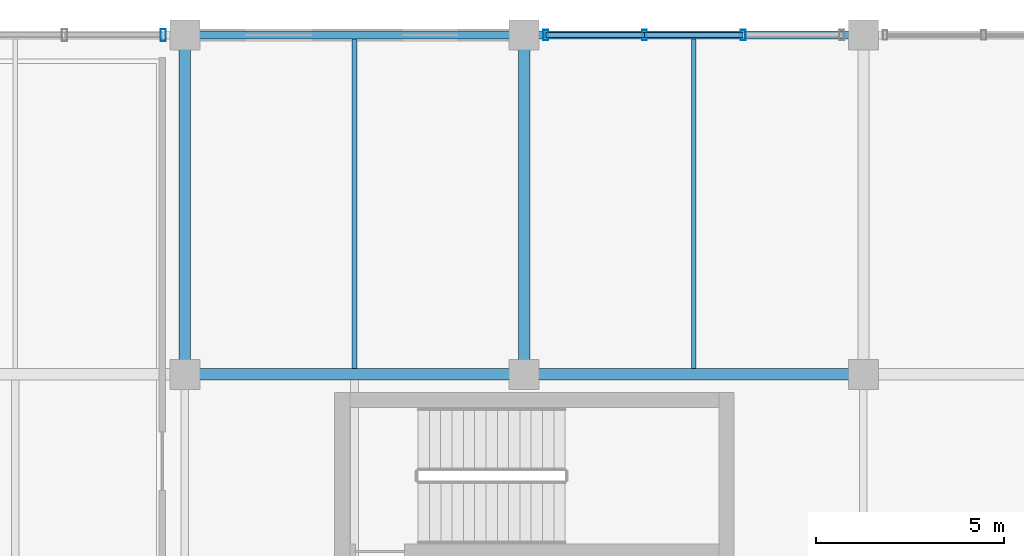
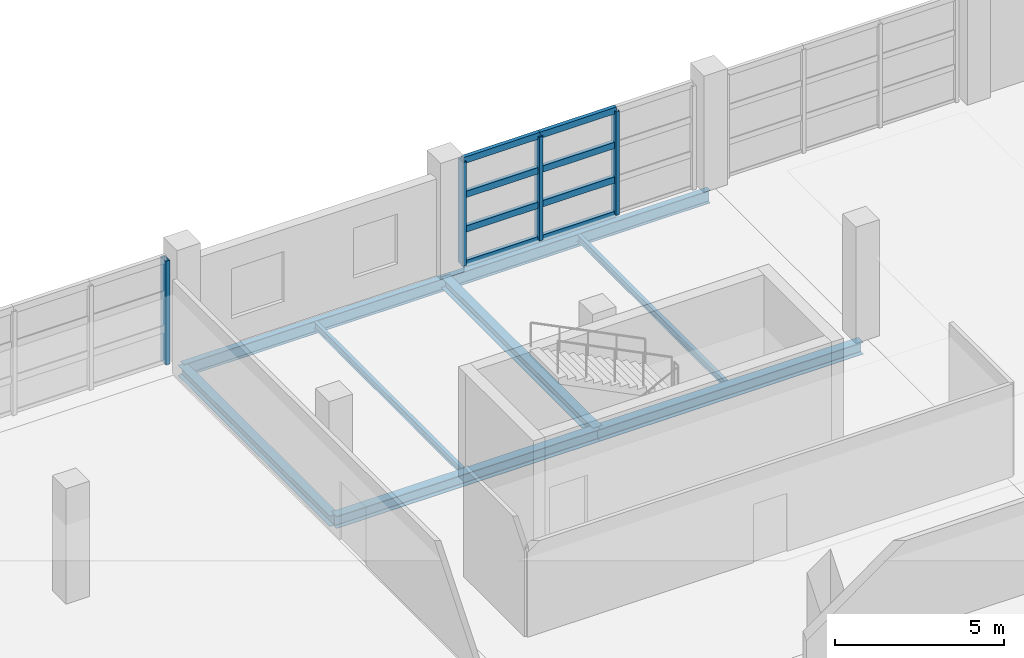
# One storey, part 91 of 136: 12 members, 8 beams, 2 elements without a shape of their own.
"""IFC4 building model written with IfcOpenShell, lengths in metres."""

from ifc_helpers import new_model, si_unit, direction, frame, origin, origin_2d, place, context, subcontext, project, spatial, hollow_rectangle, i_section, extrude, material, material_profile, profile_set, type_object, element, aggregate, save


model = new_model("IFC4")

# Units and contexts
model_context = context("Model", 3, precision=1e-05, world=origin(), true_north=direction((0.0, 1.0)))
body_context = subcontext(model_context, "Body", "Model", "MODEL_VIEW")
ifc_project = project(units=[si_unit("LENGTHUNIT", "METRE"), si_unit("AREAUNIT", "SQUARE_METRE"), si_unit("VOLUMEUNIT", "CUBIC_METRE"), si_unit("PLANEANGLEUNIT", "RADIAN"), si_unit("MASSUNIT", "GRAM", prefix="KILO")], contexts=[model_context])

# Site, building, storey
site_placement = place(None, origin())
site = spatial("IfcSite", under=ifc_project, at=site_placement, CompositionType="ELEMENT")
building_placement = place(site_placement, origin())
building = spatial("IfcBuilding", under=site, at=building_placement, Name="Chuanluo Vaults Station", CompositionType="ELEMENT")
storey_placement = place(building_placement, frame((0.0, 0.0, 6.60009765625)))
storey = spatial("IfcBuildingStorey", under=building, at=storey_placement, Name="L01", CompositionType="ELEMENT", Elevation=6.60009765625)

# Beams
ifc_material_1 = material(Name="Steel Q355C", Category="steel")
ifc_material_profile_1 = material_profile(ifc_material_1, i_section(OverallWidth=0.300048828125, OverallDepth=0.389892578125, WebThickness=0.010009765625, FlangeThickness=0.01611328125, FilletRadius=0.02001953125, at=origin_2d()))
ifc_profile_set_1 = profile_set([ifc_material_profile_1], Name="Steel Q355C")
beam_type_1 = type_object("IfcBeamType", Name="BM-GRD-400", PredefinedType="BEAM", material=ifc_profile_set_1)
for number, where, z_axis, x_axis, name in (
    (1, (145.0, 117.0, -0.455078125), (0.0, 1.0, 0.0), (-1.0, 0.0, 0.0), "Floor girder BM:GY:L01:0476"),
    (2, (154.0, 117.0, -0.43505859375), (0.0, 1.0, 0.0), (-1.0, 0.0, 0.0), "Floor girder BM:GY:L01:0487"),
):
    element("IfcBeam", number, at=place(storey_placement, frame(where, z_axis=z_axis, x_axis=x_axis)), inside=storey, type_object=beam_type_1, Name=name, PredefinedType="BEAM", context=body_context, shape_type="SweptSolid", body=[
        extrude(i_section(OverallWidth=0.300048828125, OverallDepth=0.389892578125, WebThickness=0.010009765625, FlangeThickness=0.01611328125, FilletRadius=0.02001953125, at=origin_2d()), origin(), (0.0, 0.0, 1.0), 9.0),
    ])
ifc_material_2 = material(Name="Steel Q355C", Category="steel")
ifc_material_profile_2 = material_profile(ifc_material_2, i_section(OverallWidth=0.300048828125, OverallDepth=0.43994140625, WebThickness=0.010986328125, FlangeThickness=0.01806640625, FilletRadius=0.02001953125, at=origin_2d()))
ifc_profile_set_2 = profile_set([ifc_material_profile_2], Name="Steel Q355C")
beam_type_2 = type_object("IfcBeamType", Name="BM-GRD-450", PredefinedType="USERDEFINED", material=ifc_profile_set_2)
for number, where, z_axis, x_axis, name in (
    (3, (145.0, 117.0, -0.460205078125), (1.0, 0.0, 0.0), (0.0, 1.0, 0.0), "Floor girder BM:GX:L01:0387"),
    (4, (154.0, 117.0, -0.460205078125), (1.0, 0.0, 0.0), (0.0, 1.0, 0.0), "Floor girder BM:GX:L01:0388"),
):
    element("IfcBeam", number, at=place(storey_placement, frame(where, z_axis=z_axis, x_axis=x_axis)), inside=storey, type_object=beam_type_2, Name=name, ObjectType="GIRDER", PredefinedType="USERDEFINED", context=body_context, shape_type="SweptSolid", body=[
        extrude(i_section(OverallWidth=0.300048828125, OverallDepth=0.43994140625, WebThickness=0.010986328125, FlangeThickness=0.01806640625, FilletRadius=0.02001953125, at=origin_2d()), origin(), (0.0, 0.0, 1.0), 9.0),
    ])
ifc_material_3 = material(Name="Steel Q355C", Category="steel")
ifc_material_profile_3 = material_profile(ifc_material_3, i_section(OverallWidth=0.125, OverallDepth=0.25, WebThickness=0.006103515625, FlangeThickness=0.009033203125, FilletRadius=0.011962890625, at=origin_2d()))
ifc_profile_set_3 = profile_set([ifc_material_profile_3], Name="Steel Q355C")
beam_type_3 = type_object("IfcBeamType", Name="BM-SEC-250", PredefinedType="JOIST", material=ifc_profile_set_3)
for number, where, z_axis, x_axis, name in (
    (5, (149.5, 117.155029296875, -0.364990234375), (0.0, 1.0, 0.0), (-1.0, 0.0, 0.0), "Composite secondary joist 0167"),
    (6, (158.5, 117.155029296875, -0.364990234375), (0.0, 1.0, 0.0), (-1.0, 0.0, 0.0), "Composite secondary joist 0175"),
):
    element("IfcBeam", number, at=place(storey_placement, frame(where, z_axis=z_axis, x_axis=x_axis)), inside=storey, type_object=beam_type_3, Name=name, PredefinedType="JOIST", context=body_context, shape_type="SweptSolid", body=[
        extrude(i_section(OverallWidth=0.125, OverallDepth=0.25, WebThickness=0.006103515625, FlangeThickness=0.009033203125, FilletRadius=0.011962890625, at=origin_2d()), origin(), (0.0, 0.0, 1.0), 8.737548828125),
    ])
ifc_material_4 = material(Name="Steel Q355C", Category="steel")
ifc_material_profile_4 = material_profile(ifc_material_4, i_section(OverallWidth=0.205078125, OverallDepth=0.4599609375, WebThickness=0.009033203125, FlangeThickness=0.013916015625, FilletRadius=0.01611328125, at=origin_2d()))
ifc_profile_set_4 = profile_set([ifc_material_profile_4], Name="Steel Q355C")
beam_type_4 = type_object("IfcBeamType", Name="BM-SPN-450", PredefinedType="SPANDREL", material=ifc_profile_set_4)
for number, where, z_axis, x_axis, name in (
    (7, (145.0, 126.0, -0.47021484375), (1.0, 0.0, 0.0), (0.0, 1.0, 0.0), "Floor girder BM:GX:L01:0401"),
    (8, (154.0, 126.0, -0.47021484375), (1.0, 0.0, 0.0), (0.0, 1.0, 0.0), "Floor girder BM:GX:L01:0402"),
):
    element("IfcBeam", number, at=place(storey_placement, frame(where, z_axis=z_axis, x_axis=x_axis)), inside=storey, type_object=beam_type_4, Name=name, PredefinedType="SPANDREL", context=body_context, shape_type="SweptSolid", body=[
        extrude(i_section(OverallWidth=0.205078125, OverallDepth=0.4599609375, WebThickness=0.009033203125, FlangeThickness=0.013916015625, FilletRadius=0.01611328125, at=origin_2d()), origin(), (0.0, 0.0, 1.0), 9.0),
    ])

# Curtain wall, members
ifc_material_5 = material(Name="Anodised aluminium 6063-T6", Category="aluminium")
curtain_wall_type_1 = type_object("IfcCurtainWallType", Name="CW-SYS-22", PredefinedType="NOTDEFINED", material=ifc_material_5)
curtain_wall_1_placement = place(storey_placement, origin())
curtain_wall_1 = element("IfcCurtainWall", 9, at=curtain_wall_1_placement, inside=storey, type_object=curtain_wall_type_1, Name="Operations L01 facade CW", PredefinedType="NOTDEFINED")
ifc_material_6 = material(Name="Anodised aluminium 6063-T6", Category="aluminium")
ifc_material_profile_5 = material_profile(ifc_material_6, hollow_rectangle(XDim=0.1298828125, YDim=0.280029296875, WallThickness=0.007080078125, at=origin_2d()))
ifc_profile_set_5 = profile_set([ifc_material_profile_5], Name="Anodised aluminium 6063-T6")
member_type_1 = type_object("IfcMemberType", Name="CWM-180", PredefinedType="MULLION", material=ifc_profile_set_5)
member_1_placement = place(storey_placement, frame((154.574951171875, 126.0, 0.0), z_axis=(0.0, 0.0, 1.0), x_axis=(1.0, 0.0, 0.0)))
member_1 = element("IfcMember", 10, at=member_1_placement, type_object=member_type_1, Name="Operations L01 facade CW mullion 1", PredefinedType="MULLION", context=body_context, shape_type="SweptSolid", body=[
    extrude(hollow_rectangle(XDim=0.1298828125, YDim=0.280029296875, WallThickness=0.007080078125, at=origin_2d()), origin(), (0.0, 0.0, 1.0), 3.75),
])
member_2_placement = place(storey_placement, frame((157.191650390625, 126.0, 0.0), z_axis=(0.0, 0.0, 1.0), x_axis=(1.0, 0.0, 0.0)))
member_2 = element("IfcMember", 11, at=member_2_placement, type_object=member_type_1, Name="Operations L01 facade CW mullion 2", PredefinedType="MULLION", context=body_context, shape_type="SweptSolid", body=[
    extrude(hollow_rectangle(XDim=0.1298828125, YDim=0.280029296875, WallThickness=0.007080078125, at=origin_2d()), origin(), (0.0, 0.0, 1.0), 3.75),
])
member_3_placement = place(storey_placement, frame((159.808349609375, 126.0, 0.0), z_axis=(0.0, 0.0, 1.0), x_axis=(1.0, 0.0, 0.0)))
member_3 = element("IfcMember", 12, at=member_3_placement, type_object=member_type_1, Name="Operations L01 facade CW mullion 3", PredefinedType="MULLION", context=body_context, shape_type="SweptSolid", body=[
    extrude(hollow_rectangle(XDim=0.1298828125, YDim=0.280029296875, WallThickness=0.007080078125, at=origin_2d()), origin(), (0.0, 0.0, 1.0), 3.75),
])

# Curtain wall, member
ifc_material_7 = material(Name="Anodised aluminium 6063-T6", Category="aluminium")
curtain_wall_type_2 = type_object("IfcCurtainWallType", Name="CW-SYS-21", PredefinedType="NOTDEFINED", material=ifc_material_7)
curtain_wall_2_placement = place(storey_placement, origin())
curtain_wall_2 = element("IfcCurtainWall", 13, at=curtain_wall_2_placement, inside=storey, type_object=curtain_wall_type_2, Name="Operations L01 facade CW", PredefinedType="NOTDEFINED")
ifc_material_8 = material(Name="Anodised aluminium 6063-T6", Category="aluminium")
ifc_material_profile_6 = material_profile(ifc_material_8, hollow_rectangle(XDim=0.139892578125, YDim=0.320068359375, WallThickness=0.008056640625, at=origin_2d()))
ifc_profile_set_6 = profile_set([ifc_material_profile_6], Name="Anodised aluminium 6063-T6")
member_type_2 = type_object("IfcMemberType", Name="CWM-220", PredefinedType="MULLION", material=ifc_profile_set_6)
member_4_placement = place(storey_placement, frame((144.425048828125, 126.0, 0.0), z_axis=(0.0, 0.0, 1.0), x_axis=(1.0, 0.0, 0.0)))
member_4 = element("IfcMember", 14, at=member_4_placement, type_object=member_type_2, Name="Operations L01 facade CW mullion 4", PredefinedType="MULLION", context=body_context, shape_type="SweptSolid", body=[
    extrude(hollow_rectangle(XDim=0.139892578125, YDim=0.320068359375, WallThickness=0.008056640625, at=origin_2d()), origin(), (0.0, 0.0, 1.0), 3.75),
])
aggregate(curtain_wall_2, [member_4])

# Member
ifc_material_9 = material(Name="Anodised aluminium 6063-T6", Category="aluminium")
ifc_material_profile_7 = material_profile(ifc_material_9, hollow_rectangle(XDim=0.1298828125, YDim=0.22998046875, WallThickness=0.006103515625, at=origin_2d()))
ifc_profile_set_7 = profile_set([ifc_material_profile_7], Name="Anodised aluminium 6063-T6")
member_type_3 = type_object("IfcMemberType", Name="CWT-150", PredefinedType="USERDEFINED", material=ifc_profile_set_7)
member_5_placement = place(storey_placement, frame((154.574951171875, 126.0, 0.0), z_axis=(1.0, 0.0, 0.0), x_axis=(0.0, 1.0, 0.0)))
member_5 = element("IfcMember", 15, at=member_5_placement, type_object=member_type_3, Name="Operations L01 facade CW transom 1.1", ObjectType="TRANSOM", PredefinedType="USERDEFINED", context=body_context, shape_type="SweptSolid", body=[
    extrude(hollow_rectangle(XDim=0.1298828125, YDim=0.22998046875, WallThickness=0.006103515625, at=origin_2d()), origin(), (0.0, 0.0, 1.0), 2.61669921875),
])

member_6_placement = place(storey_placement, frame((154.574951171875, 126.0, 1.25), z_axis=(1.0, 0.0, 0.0), x_axis=(0.0, 1.0, 0.0)))
member_6 = element("IfcMember", 16, at=member_6_placement, type_object=member_type_3, Name="Operations L01 facade CW transom 1.2", ObjectType="TRANSOM", PredefinedType="USERDEFINED", context=body_context, shape_type="SweptSolid", body=[
    extrude(hollow_rectangle(XDim=0.1298828125, YDim=0.22998046875, WallThickness=0.006103515625, at=origin_2d()), origin(), (0.0, 0.0, 1.0), 2.61669921875),
])

member_7_placement = place(storey_placement, frame((154.574951171875, 126.0, 2.5), z_axis=(1.0, 0.0, 0.0), x_axis=(0.0, 1.0, 0.0)))
member_7 = element("IfcMember", 17, at=member_7_placement, type_object=member_type_3, Name="Operations L01 facade CW transom 1.3", ObjectType="TRANSOM", PredefinedType="USERDEFINED", context=body_context, shape_type="SweptSolid", body=[
    extrude(hollow_rectangle(XDim=0.1298828125, YDim=0.22998046875, WallThickness=0.006103515625, at=origin_2d()), origin(), (0.0, 0.0, 1.0), 2.61669921875),
])

member_8_placement = place(storey_placement, frame((154.574951171875, 126.0, 3.75), z_axis=(1.0, 0.0, 0.0), x_axis=(0.0, 1.0, 0.0)))
member_8 = element("IfcMember", 18, at=member_8_placement, type_object=member_type_3, Name="Operations L01 facade CW transom 1.4", ObjectType="TRANSOM", PredefinedType="USERDEFINED", context=body_context, shape_type="SweptSolid", body=[
    extrude(hollow_rectangle(XDim=0.1298828125, YDim=0.22998046875, WallThickness=0.006103515625, at=origin_2d()), origin(), (0.0, 0.0, 1.0), 2.61669921875),
])

member_9_placement = place(storey_placement, frame((157.191650390625, 126.0, 0.0), z_axis=(1.0, 0.0, 0.0), x_axis=(0.0, 1.0, 0.0)))
member_9 = element("IfcMember", 19, at=member_9_placement, type_object=member_type_3, Name="Operations L01 facade CW transom 2.1", ObjectType="TRANSOM", PredefinedType="USERDEFINED", context=body_context, shape_type="SweptSolid", body=[
    extrude(hollow_rectangle(XDim=0.1298828125, YDim=0.22998046875, WallThickness=0.006103515625, at=origin_2d()), origin(), (0.0, 0.0, 1.0), 2.61669921875),
])

member_10_placement = place(storey_placement, frame((157.191650390625, 126.0, 1.25), z_axis=(1.0, 0.0, 0.0), x_axis=(0.0, 1.0, 0.0)))
member_10 = element("IfcMember", 20, at=member_10_placement, type_object=member_type_3, Name="Operations L01 facade CW transom 2.2", ObjectType="TRANSOM", PredefinedType="USERDEFINED", context=body_context, shape_type="SweptSolid", body=[
    extrude(hollow_rectangle(XDim=0.1298828125, YDim=0.22998046875, WallThickness=0.006103515625, at=origin_2d()), origin(), (0.0, 0.0, 1.0), 2.61669921875),
])

member_11_placement = place(storey_placement, frame((157.191650390625, 126.0, 2.5), z_axis=(1.0, 0.0, 0.0), x_axis=(0.0, 1.0, 0.0)))
member_11 = element("IfcMember", 21, at=member_11_placement, type_object=member_type_3, Name="Operations L01 facade CW transom 2.3", ObjectType="TRANSOM", PredefinedType="USERDEFINED", context=body_context, shape_type="SweptSolid", body=[
    extrude(hollow_rectangle(XDim=0.1298828125, YDim=0.22998046875, WallThickness=0.006103515625, at=origin_2d()), origin(), (0.0, 0.0, 1.0), 2.61669921875),
])

member_12_placement = place(storey_placement, frame((157.191650390625, 126.0, 3.75), z_axis=(1.0, 0.0, 0.0), x_axis=(0.0, 1.0, 0.0)))
member_12 = element("IfcMember", 22, at=member_12_placement, type_object=member_type_3, Name="Operations L01 facade CW transom 2.4", ObjectType="TRANSOM", PredefinedType="USERDEFINED", context=body_context, shape_type="SweptSolid", body=[
    extrude(hollow_rectangle(XDim=0.1298828125, YDim=0.22998046875, WallThickness=0.006103515625, at=origin_2d()), origin(), (0.0, 0.0, 1.0), 2.61669921875),
])

aggregate(curtain_wall_1, [member_1, member_2, member_3, member_5, member_6, member_7, member_8, member_9, member_10, member_11, member_12])

save(model, "model.ifc")
